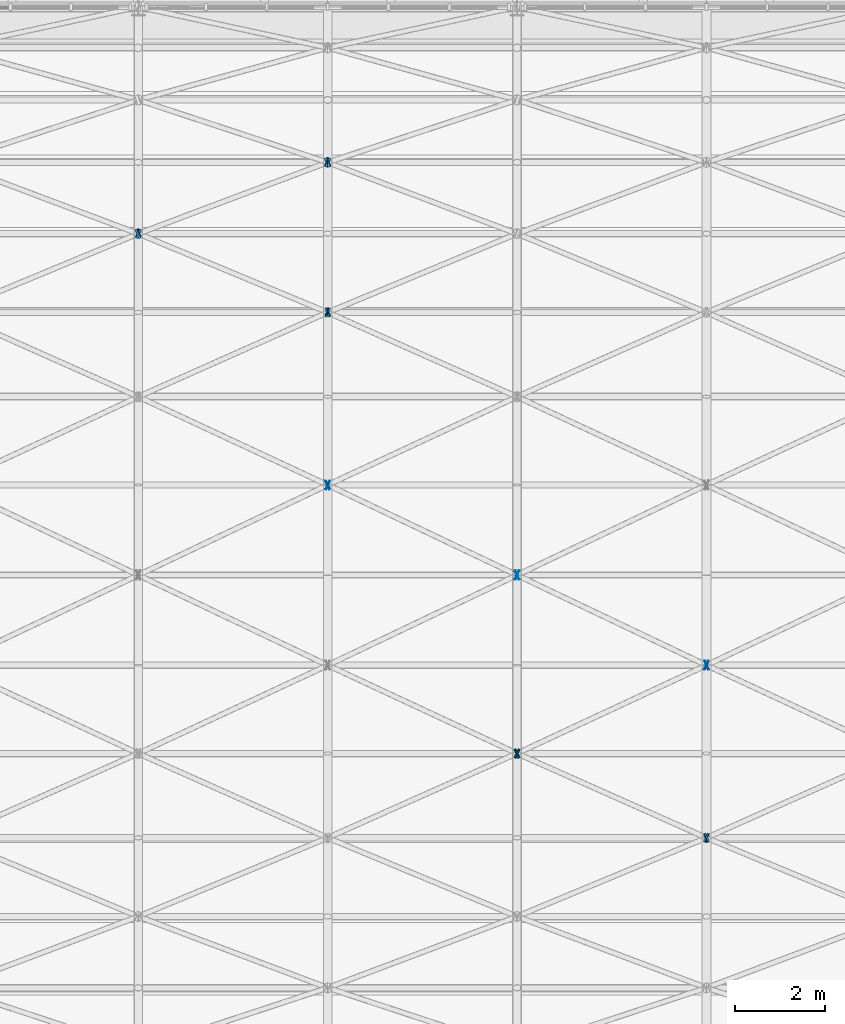
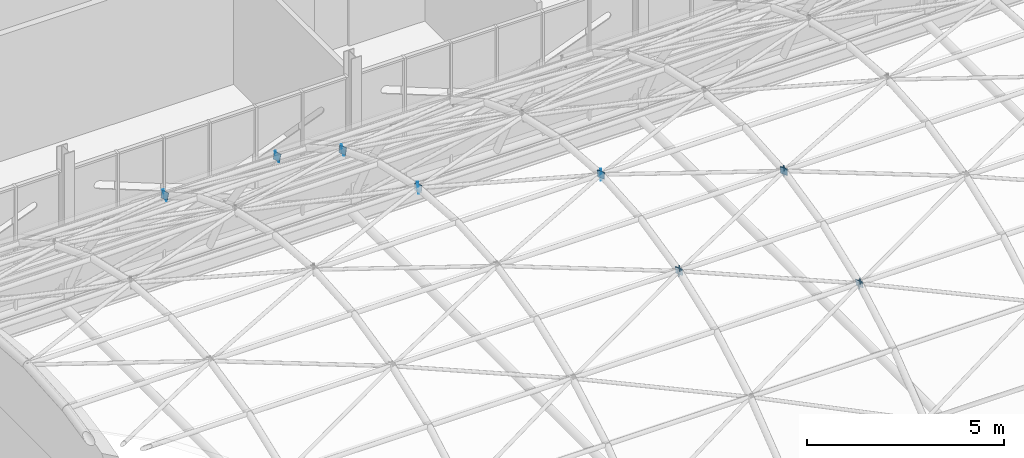
# One storey, part 108 of 121: 32 discrete accessories.
"""IFC4 building model written with IfcOpenShell, lengths in metres."""

from ifc_helpers import new_model, si_unit, direction, frame, origin, origin_2d, place, context, subcontext, project, spatial, rectangle, extrude, material, material_profile, profile_set, type_object, element, save


model = new_model("IFC4")

# Units and contexts
model_context = context("Model", 3, precision=1e-05, world=origin(), true_north=direction((0.0, 1.0)))
body_context = subcontext(model_context, "Body", "Model", "MODEL_VIEW")
ifc_project = project(units=[si_unit("LENGTHUNIT", "METRE"), si_unit("AREAUNIT", "SQUARE_METRE"), si_unit("VOLUMEUNIT", "CUBIC_METRE"), si_unit("PLANEANGLEUNIT", "RADIAN"), si_unit("MASSUNIT", "GRAM", prefix="KILO")], contexts=[model_context])

# Site, building, storey
site_placement = place(None, origin())
site = spatial("IfcSite", under=ifc_project, at=site_placement, CompositionType="ELEMENT")
building_placement = place(site_placement, origin())
building = spatial("IfcBuilding", under=site, at=building_placement, Name="Ardhachandra Cancer Care Centre", CompositionType="ELEMENT")
storey_placement = place(building_placement, frame((0.0, 0.0, 9.0)))
storey = spatial("IfcBuildingStorey", under=building, at=storey_placement, Name="L02", CompositionType="ELEMENT", Elevation=9.0)

# Discrete accessories
ifc_material = material(Name="Steel E250 (IS 2062)", Category="steel")
ifc_material_profile = material_profile(ifc_material, rectangle(XDim=0.21435546875, YDim=0.21435546875, at=origin_2d()), Name="PL 214x214x12")
ifc_profile_set = profile_set([ifc_material_profile], Name="Steel E250 (IS 2062)")
discrete_accessory_type = type_object("IfcDiscreteAccessoryType", Name="Diagonal end plate 214 x 214 x 12", PredefinedType="BRACKET", material=ifc_profile_set)
discrete_accessory_1_placement = place(storey_placement, frame((52.800048828125, 74.771728515625, 6.107421875), z_axis=(-0.898742639841, -0.3794691146, 0.219692645294), x_axis=(0.38897203704, -0.921249561411, 0.0)))
element("IfcDiscreteAccessory", 1, at=discrete_accessory_1_placement, inside=storey, type_object=discrete_accessory_type, Name="Diagonal end plate Hall shell diagonal 01-11 2", PredefinedType="BRACKET", context=body_context, shape_type="SweptSolid", body=[
    extrude(rectangle(XDim=0.21435546875, YDim=0.21435546875, at=origin_2d()), origin(), (0.0, 0.0, 1.0), 0.01220703125),
])
for number, where, z_axis, x_axis, name in (
    (2, (52.800048828125, 74.771728515625, 6.107421875), (-0.909137290097, 0.323248814257, -0.262639661584), (-0.335009667655, -0.942214690279, 0.0), "Diagonal end plate Hall shell diagonal 02-12 1"),
    (3, (57.0, 69.19921875, 8.252685546875), (-0.901722650223, -0.430367628516, 0.040987393192), (0.430729586215, -0.902481037784, 0.0), "Diagonal end plate Hall shell diagonal 02-08 2"),
    (4, (57.0, 69.19921875, 8.252685546875), (-0.899458907781, 0.429287205986, -0.081768991616), (-0.430729586215, -0.902481037784, 0.0), "Diagonal end plate Hall shell diagonal 03-09 1"),
    (5, (57.0, 73.0263671875, 7.093994140625), (-0.905533836482, -0.391025974844, 0.164642515724), (0.3964360163, -0.918062353536, 0.0), "Diagonal end plate Hall shell diagonal 02-10 2"),
    (6, (57.0, 73.0263671875, 7.093994140625), (-0.898708107226, 0.388078500848, -0.204251842551), (-0.3964360163, -0.918062353536, 0.0), "Diagonal end plate Hall shell diagonal 03-11 1"),
    (7, (52.800048828125, 74.771728515625, 6.107421875), (0.89479701826, -0.386389621521, 0.223699254565), (0.3964360163, 0.918062353536, 0.0), "Diagonal end plate Hall shell diagonal 03-11 2"),
    (8, (52.800048828125, 74.771728515625, 6.107421875), (0.905533836482, 0.329285031448, -0.267544088051), (-0.341743063087, 0.939793423488, 0.0), "Diagonal end plate Hall shell diagonal 02-12 1"),
    (9, (57.0, 76.353515625, 4.8759765625), (-0.899271031245, -0.347445625708, 0.265693713777), (0.360399279202, -0.932798134406, 0.0), "Diagonal end plate Hall shell diagonal 02-12 2"),
    (10, (57.0, 76.353515625, 4.8759765625), (-0.900777348936, 0.307083187137, -0.307083187137), (-0.322673927788, -0.946510188179, 0.0), "Diagonal end plate Hall shell diagonal 03-13 1"),
    (11, (61.199951171875, 63.244384765625, 7.814208984375), (-0.900966171356, -0.409530077889, -0.143335527261), (0.413802944301, -0.910366477463, 0.0), "Diagonal end plate Hall shell diagonal 03-05 2"),
    (12, (61.199951171875, 63.244384765625, 7.814208984375), (-0.897772245151, 0.428482207913, 0.102019573313), (-0.430729586215, -0.902481037784, 0.0), "Diagonal end plate Hall shell diagonal 04-06 1"),
    (13, (61.199951171875, 67.199951171875, 8.39990234375), (-0.902291261515, -0.430639011177, -0.02050661958), (0.430729586215, -0.902481037784, 0.0), "Diagonal end plate Hall shell diagonal 03-07 2"),
    (14, (61.199951171875, 67.199951171875, 8.39990234375), (-0.902291261515, 0.430639011177, -0.02050661958), (-0.430729586215, -0.902481037784, 0.0), "Diagonal end plate Hall shell diagonal 04-08 1"),
    (15, (57.0, 69.19921875, 8.252685546875), (0.901722650223, -0.430367628516, 0.040987393192), (0.430729586215, 0.902481037784, 0.0), "Diagonal end plate Hall shell diagonal 04-08 2"),
    (16, (57.0, 69.19921875, 8.252685546875), (0.899458907781, 0.429287205986, -0.081768991616), (-0.430729586215, 0.902481037784, 0.0), "Diagonal end plate Hall shell diagonal 03-09 1"),
    (17, (57.0, 73.0263671875, 7.093994140625), (0.905533836482, -0.391025974844, 0.164642515724), (0.3964360163, 0.918062353536, 0.0), "Diagonal end plate Hall shell diagonal 04-10 2"),
    (18, (57.0, 73.0263671875, 7.093994140625), (0.898708107226, 0.388078500848, -0.204251842551), (-0.3964360163, 0.918062353536, 0.0), "Diagonal end plate Hall shell diagonal 03-11 1"),
    (19, (57.0, 76.353515625, 4.8759765625), (0.899271031245, -0.347445625708, 0.265693713777), (0.360399279202, 0.932798134406, 0.0), "Diagonal end plate Hall shell diagonal 04-12 2"),
    (20, (57.0, 76.353515625, 4.8759765625), (0.900777348936, 0.307083187137, -0.307083187137), (-0.322673927788, 0.946510188179, 0.0), "Diagonal end plate Hall shell diagonal 03-13 1"),
    (21, (65.39990234375, 61.37353515625, 7.093994140625), (-0.905725666552, -0.370524136317, -0.205846742398), (0.378632845721, -0.925546956206, 0.0), "Diagonal end plate Hall shell diagonal 04-04 2"),
    (22, (65.39990234375, 61.37353515625, 7.093994140625), (-0.89814623902, 0.408248290464, 0.163299316186), (-0.413802944301, -0.910366477463, 0.0), "Diagonal end plate Hall shell diagonal 05-05 1"),
):
    element("IfcDiscreteAccessory", number, at=place(storey_placement, frame(where, z_axis=z_axis, x_axis=x_axis)), inside=storey, type_object=discrete_accessory_type, Name=name, PredefinedType="BRACKET", context=body_context, shape_type="SweptSolid", body=[
        extrude(rectangle(XDim=0.21435546875, YDim=0.21435546875, at=origin_2d()), origin(), (0.0, 0.0, 1.0), 0.011962890625),
    ])
for number, where, z_axis, x_axis, name in (
    (23, (61.199951171875, 63.244384765625, 7.814208984375), (0.904716823274, -0.4020963659, -0.140733728065), (0.406138466053, 0.91381154862, 0.0), "Diagonal end plate Hall shell diagonal 05-05 2"),
    (24, (61.199951171875, 63.244384765625, 7.814208984375), (0.901624387163, 0.420758047343, 0.100180487463), (-0.422885465331, 0.906183139995, 0.0), "Diagonal end plate Hall shell diagonal 04-06 1"),
):
    element("IfcDiscreteAccessory", number, at=place(storey_placement, frame(where, z_axis=z_axis, x_axis=x_axis)), inside=storey, type_object=discrete_accessory_type, Name=name, PredefinedType="BRACKET", context=body_context, shape_type="SweptSolid", body=[
        extrude(rectangle(XDim=0.21435546875, YDim=0.21435546875, at=origin_2d()), origin(), (0.0, 0.0, 1.0), 0.01220703125),
    ])
for number, where, z_axis, x_axis, name in (
    (25, (65.39990234375, 65.20068359375, 8.252685546875), (-0.899458907781, -0.429287205986, -0.081768991616), (0.430729586215, -0.902481037784, 0.0), "Diagonal end plate Hall shell diagonal 04-06 2"),
    (26, (65.39990234375, 65.20068359375, 8.252685546875), (-0.901722650223, 0.430367628516, 0.040987393192), (-0.430729586215, -0.902481037784, 0.0), "Diagonal end plate Hall shell diagonal 05-07 1"),
):
    element("IfcDiscreteAccessory", number, at=place(storey_placement, frame(where, z_axis=z_axis, x_axis=x_axis)), inside=storey, type_object=discrete_accessory_type, Name=name, PredefinedType="BRACKET", context=body_context, shape_type="SweptSolid", body=[
        extrude(rectangle(XDim=0.21435546875, YDim=0.21435546875, at=origin_2d()), origin(), (0.0, 0.0, 1.0), 0.011962890625),
    ])
for number, where, z_axis, x_axis, name in (
    (27, (61.199951171875, 67.199951171875, 8.39990234375), (0.905999460427, -0.422799748199, -0.020133321343), (0.422885465331, 0.906183139995, 0.0), "Diagonal end plate Hall shell diagonal 05-07 2"),
    (28, (61.199951171875, 67.199951171875, 8.39990234375), (0.905999460427, 0.422799748199, -0.020133321343), (-0.422885465331, 0.906183139995, 0.0), "Diagonal end plate Hall shell diagonal 04-08 1"),
):
    element("IfcDiscreteAccessory", number, at=place(storey_placement, frame(where, z_axis=z_axis, x_axis=x_axis)), inside=storey, type_object=discrete_accessory_type, Name=name, PredefinedType="BRACKET", context=body_context, shape_type="SweptSolid", body=[
        extrude(rectangle(XDim=0.21435546875, YDim=0.21435546875, at=origin_2d()), origin(), (0.0, 0.0, 1.0), 0.01220703125),
    ])
discrete_accessory_2_placement = place(storey_placement, frame((65.39990234375, 61.37353515625, 7.093994140625), z_axis=(0.909322885136, -0.363729154054, -0.202071752252), x_axis=(0.371390676354, 0.928476690885, 0.0)))
element("IfcDiscreteAccessory", 29, at=discrete_accessory_2_placement, inside=storey, type_object=discrete_accessory_type, Name="Diagonal end plate Hall shell diagonal 06-04 2", PredefinedType="BRACKET", context=body_context, shape_type="SweptSolid", body=[
    extrude(rectangle(XDim=0.21435546875, YDim=0.21435546875, at=origin_2d()), origin(), (0.0, 0.0, 1.0), 0.011962890625),
])
for number, where, z_axis, x_axis, name in (
    (30, (65.39990234375, 61.37353515625, 7.093994140625), (0.901986558051, 0.400882914689, 0.160353165876), (-0.406138466053, 0.91381154862, 0.0), "Diagonal end plate Hall shell diagonal 05-05 1"),
    (31, (65.39990234375, 65.20068359375, 8.252685546875), (0.903257601642, -0.421520214099, -0.08028956459), (0.422885465331, 0.906183139995, 0.0), "Diagonal end plate Hall shell diagonal 06-06 2"),
    (32, (65.39990234375, 65.20068359375, 8.252685546875), (0.905449091159, 0.422542909207, 0.040242181829), (-0.422885465331, 0.906183139995, 0.0), "Diagonal end plate Hall shell diagonal 05-07 1"),
):
    element("IfcDiscreteAccessory", number, at=place(storey_placement, frame(where, z_axis=z_axis, x_axis=x_axis)), inside=storey, type_object=discrete_accessory_type, Name=name, PredefinedType="BRACKET", context=body_context, shape_type="SweptSolid", body=[
        extrude(rectangle(XDim=0.21435546875, YDim=0.21435546875, at=origin_2d()), origin(), (0.0, 0.0, 1.0), 0.01220703125),
    ])

save(model, "model.ifc")
